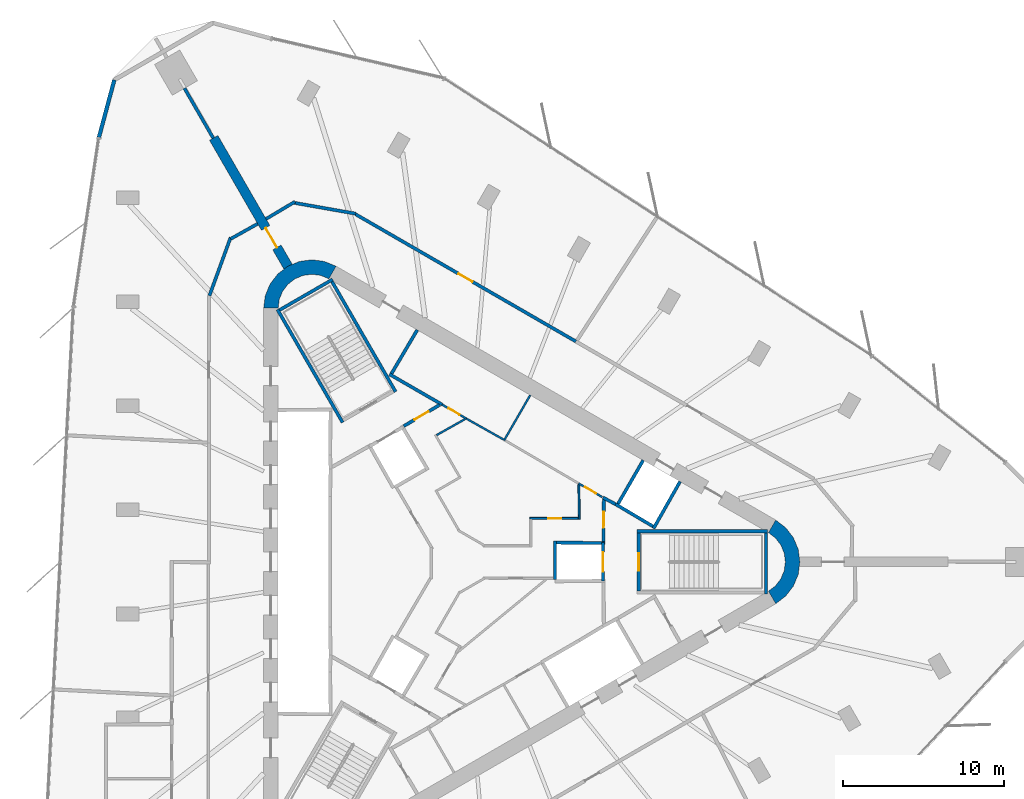
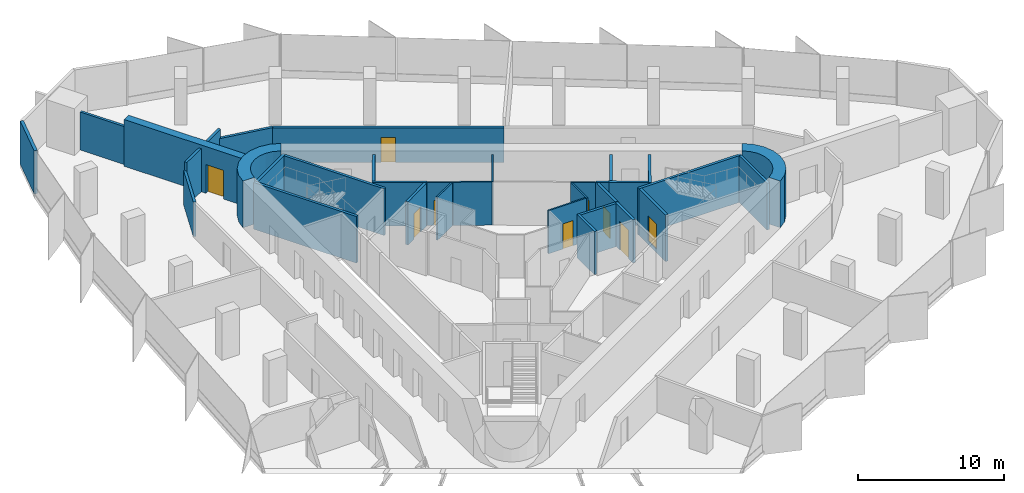
# One storey, part 11 of 13: 34 walls, 9 doors, 9 openings.
"""IFC4 building model written with IfcOpenShell, lengths in metres."""

from ifc_helpers import new_model, si_unit, direction, frame, frame_2d, origin, place, context, subcontext, project, spatial, polyline, rectangle, outline, extrude, material, layer, layer_set, type_object, element, fill, save


model = new_model("IFC4")

# Units and contexts
model_context = context("Model", 3, precision=1e-05, world=origin(), true_north=direction((0.0, 1.0)))
body_context = subcontext(model_context, "Body", "Model", "MODEL_VIEW")
ifc_project = project(units=[si_unit("LENGTHUNIT", "METRE"), si_unit("AREAUNIT", "SQUARE_METRE"), si_unit("VOLUMEUNIT", "CUBIC_METRE"), si_unit("PLANEANGLEUNIT", "RADIAN"), si_unit("MASSUNIT", "GRAM", prefix="KILO")], contexts=[model_context])

# Site, building, storey
site_placement = place(None, origin())
site = spatial("IfcSite", under=ifc_project, at=site_placement, CompositionType="ELEMENT")
building_placement = place(site_placement, origin())
building = spatial("IfcBuilding", under=site, at=building_placement, Name="Tanit Gate Tower", CompositionType="ELEMENT")
storey_placement = place(building_placement, frame((0.0, 0.0, 310.39990234375)))
storey = spatial("IfcBuildingStorey", under=building, at=storey_placement, Name="L69", CompositionType="ELEMENT", Elevation=310.39990234375)

# Wall, opening, door
ifc_material_1 = material(Name="Concrete C40/50", Category="concrete")
ifc_layer_1 = layer(ifc_material_1, 0.60009765625)
ifc_layer_set_1 = layer_set([ifc_layer_1], Name="BUTTRESS FIN 600 C40/50")
wall_type_1 = type_object("IfcWallType", Name="BUTTRESS FIN 600 C40/50", PredefinedType="SHEAR", material=ifc_layer_set_1)
wall_1_placement = place(storey_placement, frame((-10.574951171875, 18.31640625, 0.0), z_axis=(0.0, 0.0, 1.0), x_axis=(-0.500009446655, 0.866019949687, 0.0)))
wall_1 = element("IfcWall", 1, at=wall_1_placement, inside=storey, type_object=wall_type_1, Name="BUTTRESS FIN", PredefinedType="SHEAR", context=body_context, shape_type="SweptSolid", body=[
    extrude(rectangle(XDim=9.253662109375, YDim=0.60009765625, at=frame_2d((4.626953125, 0.0))), origin(), (0.0, 0.0, 1.0), 3.900146484375),
])
opening_1_placement = place(wall_1_placement, frame((1.39990234375, 0.0, 0.0)))
opening_1 = element("IfcOpeningElement", 2, at=opening_1_placement, cuts=wall_1, Name="Opening P14-S19-F-NW-1", PredefinedType="OPENING", context=body_context, shape_type="SweptSolid", body=[
    extrude(rectangle(XDim=1.39990234375, YDim=2.39990234375, at=frame_2d((0.699951171875, 1.199951171875))), frame((0.0, 0.31005859375, 0.0), z_axis=(0.0, -1.0, 0.0), x_axis=(1.0, 0.0, 0.0)), (0.0, 0.0, 1.0), 0.6201171875),
])
ifc_material_2 = material(Name="Timber door leaf", Category="wood")
door_type_1 = type_object("IfcDoorType", Name="INT-DOOR-FIN-PAIR-1400", OperationType="NOTDEFINED", PredefinedType="NOTDEFINED", material=ifc_material_2)
door_1_placement = place(opening_1_placement, origin())
door_1 = element("IfcDoor", 3, at=door_1_placement, inside=storey, type_object=door_type_1, Name="Door P14-S19-F-NW-1", OperationType="DOUBLE_DOOR_SINGLE_SWING", OverallHeight=2.39990234375, OverallWidth=1.39990234375, PredefinedType="NOTDEFINED", context=body_context, shape_type="SweptSolid", body=[
    extrude(rectangle(XDim=1.39990234375, YDim=2.39990234375, at=frame_2d((0.699951171875, 1.199951171875))), frame((0.0, 0.02490234375, 0.0), z_axis=(0.0, -1.0, 0.0), x_axis=(1.0, 0.0, 0.0)), (0.0, 0.0, 1.0), 0.050048828125),
])
fill(opening_1, door_1)

# Walls
ifc_material_3 = material(Name="Concrete C40/50", Category="concrete")
ifc_layer_2 = layer(ifc_material_3, 0.89990234375)
ifc_layer_set_2 = layer_set([ifc_layer_2], Name="CORE WALL 900 C40/50")
wall_type_2 = type_object("IfcWallType", Name="CORE WALL 900 C40/50", PredefinedType="SHEAR", material=ifc_layer_set_2)
wall_2_placement = place(storey_placement, origin())
element("IfcWall", 4, at=wall_2_placement, inside=storey, type_object=wall_type_2, Name="CORE WALL CORNER", PredefinedType="SHEAR", context=body_context, shape_type="SweptSolid", body=[
    extrude(outline(polyline([(-7.60009765625, 18.359619140625), (-8.323486328125, 18.659423828125), (-9.10009765625, 18.76171875), (-9.87646484375, 18.659423828125), (-10.60009765625, 18.359619140625), (-11.22119140625, 17.883056640625), (-11.697998046875, 17.26171875), (-11.997802734375, 16.5380859375), (-12.10009765625, 15.76171875), (-11.199951171875, 15.76171875), (-11.12841796875, 16.30517578125), (-10.918701171875, 16.811767578125), (-10.5849609375, 17.24658203125), (-10.14990234375, 17.580322265625), (-9.6435546875, 17.7900390625), (-9.10009765625, 17.86181640625), (-8.556396484375, 17.7900390625), (-8.050048828125, 17.580322265625), (-7.60009765625, 18.359619140625)])), origin(), (0.0, 0.0, 1.0), 3.900146484375),
])
wall_3_placement = place(storey_placement, origin())
element("IfcWall", 5, at=wall_3_placement, inside=storey, type_object=wall_type_2, Name="CORE WALL CORNER", PredefinedType="SHEAR", context=body_context, shape_type="SweptSolid", body=[
    extrude(outline(polyline([(19.699951171875, -2.59814453125), (20.3212890625, -2.121337890625), (20.798095703125, -1.5), (21.097900390625, -0.776611328125), (21.199951171875, 0.0), (21.097900390625, 0.776611328125), (20.798095703125, 1.5), (20.3212890625, 2.121337890625), (19.699951171875, 2.59814453125), (19.25, 1.818603515625), (19.684814453125, 1.48486328125), (20.018798828125, 1.050048828125), (20.228515625, 0.54345703125), (20.300048828125, 0.0), (20.228515625, -0.54345703125), (20.018798828125, -1.050048828125), (19.684814453125, -1.48486328125), (19.25, -1.818603515625), (19.699951171875, -2.59814453125)])), origin(), (0.0, 0.0, 1.0), 3.900146484375),
])
ifc_material_4 = material(Name="Concrete C30/37 with bronze anodised aluminium cladding", Category="concrete")
ifc_layer_3 = layer(ifc_material_4, 0.239990234375)
ifc_layer_set_3 = layer_set([ifc_layer_3], Name="Facade wall bronze clad 240")
wall_type_3 = type_object("IfcWallType", Name="Facade wall bronze clad 240", PredefinedType="SOLIDWALL", material=ifc_layer_set_3)
wall_4_placement = place(storey_placement, frame((-21.375244140625, 29.930908203125, 0.0), z_axis=(0.0, 0.0, 1.0), x_axis=(-0.258772400119, -0.965938323568, 0.0)))
element("IfcWall", 6, at=wall_4_placement, inside=storey, type_object=wall_type_3, Name="Bronze-clad facade wall L69 NW.arc3", PredefinedType="SOLIDWALL", context=body_context, shape_type="SweptSolid", body=[
    extrude(rectangle(XDim=3.696533203125, YDim=0.239990234375, at=frame_2d((1.84814453125, 0.0))), origin(), (0.0, 0.0, 1.0), 3.60009765625),
])
ifc_material_5 = material(Name="Fire-rated gypsum board partition")
ifc_layer_4 = layer(ifc_material_5, 0.199951171875)
ifc_layer_set_4 = layer_set([ifc_layer_4], Name="INT-WALL-COMPARTMENT")
wall_type_4 = type_object("IfcWallType", Name="INT-WALL-COMPARTMENT", PredefinedType="PARTITIONING", material=ifc_layer_set_4)
wall_5_placement = place(storey_placement, frame((8.97412109375, 3.998779296875, 0.0), z_axis=(0.0, 0.0, 1.0), x_axis=(0.880917147855, -0.473270513147, 0.0)))
element("IfcWall", 7, at=wall_5_placement, inside=storey, type_object=wall_type_4, Name="Wall Compartment W045", PredefinedType="PARTITIONING", context=body_context, shape_type="SweptSolid", body=[
    extrude(rectangle(XDim=0.8779296875, YDim=0.199951171875, at=frame_2d((0.43896484375, 0.0))), origin(), (0.0, 0.0, 1.0), 3.60009765625),
])
wall_6_placement = place(storey_placement, frame((-4.295654296875, 11.659912109375, 0.0), z_axis=(0.0, 0.0, 1.0), x_axis=(0.866027389382, -0.499996560828, 0.0)))
element("IfcWall", 8, at=wall_6_placement, inside=storey, type_object=wall_type_4, Name="Wall Compartment W048", PredefinedType="PARTITIONING", context=body_context, shape_type="SweptSolid", body=[
    extrude(rectangle(XDim=3.77783203125, YDim=0.199951171875, at=frame_2d((1.888916015625, 0.0))), origin(), (0.0, 0.0, 1.0), 3.60009765625),
])
wall_7_placement = place(storey_placement, frame((-2.557861328125, 14.409423828125, 0.0), z_axis=(0.0, 0.0, 1.0), x_axis=(-0.508018930956, -0.861345903683, 0.0)))
element("IfcWall", 9, at=wall_7_placement, inside=storey, type_object=wall_type_4, Name="Wall Compartment W049", PredefinedType="PARTITIONING", context=body_context, shape_type="SweptSolid", body=[
    extrude(rectangle(XDim=3.150146484375, YDim=0.199951171875, at=frame_2d((1.5751953125, 0.0))), origin(), (0.0, 0.0, 1.0), 3.60009765625),
])

# Wall, opening, door
wall_8_placement = place(storey_placement, frame((9.0009765625, 1.27001953125, 0.0), z_axis=(0.0, 0.0, 1.0), x_axis=(0.010723968736, 0.999942496594, 0.0)))
wall_8 = element("IfcWall", 10, at=wall_8_placement, inside=storey, type_object=wall_type_4, Name="Wall Compartment W063", PredefinedType="PARTITIONING", context=body_context, shape_type="SweptSolid", body=[
    extrude(rectangle(XDim=2.709228515625, YDim=0.199951171875, at=frame_2d((1.3544921875, 0.0))), origin(), (0.0, 0.0, 1.0), 3.60009765625),
])
opening_2_placement = place(wall_8_placement, frame((0.848388671875, 0.0, 0.0)))
opening_2 = element("IfcOpeningElement", 11, at=opening_2_placement, cuts=wall_8, Name="Opening F10-S19-02", PredefinedType="OPENING", context=body_context, shape_type="SweptSolid", body=[
    extrude(rectangle(XDim=1.0, YDim=2.10009765625, at=frame_2d((0.5, 1.050048828125))), frame((0.0, 0.10986328125, 0.0), z_axis=(0.0, -1.0, 0.0), x_axis=(1.0, 0.0, 0.0)), (0.0, 0.0, 1.0), 0.219970703125),
])
ifc_material_6 = material(Name="Fire-rated steel door leaf", Category="steel")
door_type_2 = type_object("IfcDoorType", Name="INT-DOOR-FIRE-1000", OperationType="NOTDEFINED", PredefinedType="USERDEFINED", material=ifc_material_6)
door_2_placement = place(opening_2_placement, origin())
door_2 = element("IfcDoor", 12, at=door_2_placement, inside=storey, type_object=door_type_2, Name="Door F10-S19-02", ObjectType="FIRE DOOR", OperationType="SINGLE_SWING_LEFT", OverallHeight=2.10009765625, OverallWidth=1.0, PredefinedType="USERDEFINED", context=body_context, shape_type="SweptSolid", body=[
    extrude(rectangle(XDim=1.0, YDim=2.10009765625, at=frame_2d((0.5, 1.050048828125))), frame((0.0, 0.02490234375, 0.0), z_axis=(0.0, -1.0, 0.0), x_axis=(1.0, 0.0, 0.0)), (0.0, 0.0, 1.0), 0.050048828125),
])
fill(opening_2, door_2)

wall_9_placement = place(storey_placement, frame((-1.1787109375, 9.744873046875, 0.0), z_axis=(0.0, 0.0, 1.0), x_axis=(-0.860630814782, -0.509229418482, 0.0)))
wall_9 = element("IfcWall", 13, at=wall_9_placement, inside=storey, type_object=wall_type_4, Name="Wall Compartment W065", PredefinedType="PARTITIONING", context=body_context, shape_type="SweptSolid", body=[
    extrude(rectangle(XDim=2.581787109375, YDim=0.199951171875, at=frame_2d((1.291015625, 0.0))), origin(), (0.0, 0.0, 1.0), 3.60009765625),
])
opening_3_placement = place(wall_9_placement, frame((0.791015625, 0.0, 0.0)))
opening_3 = element("IfcOpeningElement", 14, at=opening_3_placement, cuts=wall_9, Name="Opening F10-S19-05", PredefinedType="OPENING", context=body_context, shape_type="SweptSolid", body=[
    extrude(rectangle(XDim=1.0, YDim=2.10009765625, at=frame_2d((0.5, 1.050048828125))), frame((0.0, 0.10986328125, 0.0), z_axis=(0.0, -1.0, 0.0), x_axis=(1.0, 0.0, 0.0)), (0.0, 0.0, 1.0), 0.219970703125),
])
door_3_placement = place(opening_3_placement, origin())
door_3 = element("IfcDoor", 15, at=door_3_placement, inside=storey, type_object=door_type_2, Name="Door F10-S19-05", ObjectType="FIRE DOOR", OperationType="SINGLE_SWING_LEFT", OverallHeight=2.10009765625, OverallWidth=1.0, PredefinedType="USERDEFINED", context=body_context, shape_type="SweptSolid", body=[
    extrude(rectangle(XDim=1.0, YDim=2.10009765625, at=frame_2d((0.5, 1.050048828125))), frame((0.0, 0.02490234375, 0.0), z_axis=(0.0, -1.0, 0.0), x_axis=(1.0, 0.0, 0.0)), (0.0, 0.0, 1.0), 0.050048828125),
])
fill(opening_3, door_3)

# Walls
wall_10_placement = place(storey_placement, frame((-14.15234375, 20.143310546875, 0.0), z_axis=(0.0, 0.0, 1.0), x_axis=(-0.342008467257, -0.939696870445, 0.0)))
element("IfcWall", 16, at=wall_10_placement, inside=storey, type_object=wall_type_4, Name="Wall Compartment W102", PredefinedType="PARTITIONING", context=body_context, shape_type="SweptSolid", body=[
    extrude(rectangle(XDim=3.840576171875, YDim=0.199951171875, at=frame_2d((1.92041015625, 0.0))), origin(), (0.0, 0.0, 1.0), 2.880126953125),
])
wall_11_placement = place(storey_placement, frame((-12.469970703125, 20.99853515625, 0.0), z_axis=(0.0, 0.0, 1.0), x_axis=(-0.872542788959, -0.488537697046, 0.0)))
element("IfcWall", 17, at=wall_11_placement, inside=storey, type_object=wall_type_4, Name="Wall Compartment W103", PredefinedType="PARTITIONING", context=body_context, shape_type="SweptSolid", body=[
    extrude(rectangle(XDim=1.924560546875, YDim=0.199951171875, at=frame_2d((0.96240234375, 0.0))), origin(), (0.0, 0.0, 1.0), 3.60009765625),
])
wall_12_placement = place(storey_placement, frame((-10.154541015625, 22.3671875, 0.0), z_axis=(0.0, 0.0, 1.0), x_axis=(-0.859343009577, -0.511399640097, 0.0)))
element("IfcWall", 18, at=wall_12_placement, inside=storey, type_object=wall_type_4, Name="Wall Compartment W104", PredefinedType="PARTITIONING", context=body_context, shape_type="SweptSolid", body=[
    extrude(rectangle(XDim=2.089599609375, YDim=0.199951171875, at=frame_2d((1.044921875, 0.0))), origin(), (0.0, 0.0, 1.0), 3.60009765625),
])
wall_13_placement = place(storey_placement, frame((-6.389404296875, 21.626220703125, 0.0), z_axis=(0.0, 0.0, 1.0), x_axis=(-0.984802578286, 0.173677522442, 0.0)))
element("IfcWall", 19, at=wall_13_placement, inside=storey, type_object=wall_type_4, Name="Wall Compartment W105", PredefinedType="PARTITIONING", context=body_context, shape_type="SweptSolid", body=[
    extrude(rectangle(XDim=3.87548828125, YDim=0.199951171875, at=frame_2d((1.937744140625, 0.0))), origin(), (0.0, 0.0, 1.0), 2.880126953125),
])

# Wall, opening, door
wall_14_placement = place(storey_placement, frame((7.2890625, 13.689453125, 0.0), z_axis=(0.0, 0.0, 1.0), x_axis=(-0.866022017938, 0.500005864412, 0.0)))
wall_14 = element("IfcWall", 20, at=wall_14_placement, inside=storey, type_object=wall_type_4, Name="Wall Compartment W106", PredefinedType="PARTITIONING", context=body_context, shape_type="SweptSolid", body=[
    extrude(rectangle(XDim=15.808349609375, YDim=0.199951171875, at=frame_2d((7.904296875, 0.0))), origin(), (0.0, 0.0, 1.0), 2.880126953125),
])
opening_4_placement = place(wall_14_placement, frame((7.404296875, 0.0, 0.0)))
opening_4 = element("IfcOpeningElement", 21, at=opening_4_placement, cuts=wall_14, Name="Opening F10-S19-28", PredefinedType="OPENING", context=body_context, shape_type="SweptSolid", body=[
    extrude(rectangle(XDim=1.0, YDim=2.10009765625, at=frame_2d((0.5, 1.050048828125))), frame((0.0, 0.10986328125, 0.0), z_axis=(0.0, -1.0, 0.0), x_axis=(1.0, 0.0, 0.0)), (0.0, 0.0, 1.0), 0.219970703125),
])
door_4_placement = place(opening_4_placement, origin())
door_4 = element("IfcDoor", 22, at=door_4_placement, inside=storey, type_object=door_type_2, Name="Door F10-S19-28", ObjectType="FIRE DOOR", OperationType="SINGLE_SWING_LEFT", OverallHeight=2.10009765625, OverallWidth=1.0, PredefinedType="USERDEFINED", context=body_context, shape_type="SweptSolid", body=[
    extrude(rectangle(XDim=1.0, YDim=2.10009765625, at=frame_2d((0.5, 1.050048828125))), frame((0.0, 0.02490234375, 0.0), z_axis=(0.0, -1.0, 0.0), x_axis=(1.0, 0.0, 0.0)), (0.0, 0.0, 1.0), 0.050048828125),
])
fill(opening_4, door_4)

# Walls
wall_15_placement = place(storey_placement, frame((-17.017333984375, 29.4150390625, 0.0), z_axis=(0.0, 0.0, 1.0), x_axis=(0.49999800388, -0.866026556242, 0.0)))
element("IfcWall", 23, at=wall_15_placement, inside=storey, type_object=wall_type_4, Name="Wall Compartment W131", PredefinedType="PARTITIONING", context=body_context, shape_type="SweptSolid", body=[
    extrude(rectangle(XDim=3.5791015625, YDim=0.199951171875, at=frame_2d((1.78955078125, 0.0))), origin(), (0.0, 0.0, 1.0), 3.170166015625),
])
ifc_material_7 = material(Name="Gypsum board partition")
ifc_layer_5 = layer(ifc_material_7, 0.1201171875)
ifc_layer_set_5 = layer_set([ifc_layer_5], Name="INT-WALL-PARTITION")
wall_type_5 = type_object("IfcWallType", Name="INT-WALL-PARTITION", PredefinedType="PARTITIONING", material=ifc_layer_set_5)
wall_16_placement = place(storey_placement, frame((4.456787109375, 10.359375, 0.0), z_axis=(0.0, 0.0, 1.0), x_axis=(-0.500017246033, -0.866015446554, 0.0)))
element("IfcWall", 24, at=wall_16_placement, inside=storey, type_object=wall_type_5, Name="Wall Partition W044", PredefinedType="PARTITIONING", context=body_context, shape_type="SweptSolid", body=[
    extrude(rectangle(XDim=3.25, YDim=0.1201171875, at=frame_2d((1.625, 0.0))), origin(), (0.0, 0.0, 1.0), 3.60009765625),
])

# Wall, opening, door
wall_17_placement = place(storey_placement, frame((-1.02392578125, 9.77099609375, 0.0), z_axis=(0.0, 0.0, 1.0), x_axis=(0.866039397417, -0.499975761534, 0.0)))
wall_17 = element("IfcWall", 25, at=wall_17_placement, inside=storey, type_object=wall_type_5, Name="Wall Partition W051", PredefinedType="PARTITIONING", context=body_context, shape_type="SweptSolid", body=[
    extrude(rectangle(XDim=1.751953125, YDim=0.1201171875, at=frame_2d((0.8759765625, 0.0))), origin(), (0.0, 0.0, 1.0), 3.60009765625),
])
opening_5_placement = place(wall_17_placement, frame((0.4658203125, 0.0, 0.0)))
opening_5 = element("IfcOpeningElement", 26, at=opening_5_placement, cuts=wall_17, Name="Opening R08-S19-15", PredefinedType="OPENING", context=body_context, shape_type="SweptSolid", body=[
    extrude(rectangle(XDim=0.800048828125, YDim=2.10009765625, at=frame_2d((0.39990234375, 1.050048828125))), frame((0.0, 0.070068359375, 0.0), z_axis=(0.0, -1.0, 0.0), x_axis=(1.0, 0.0, 0.0)), (0.0, 0.0, 1.0), 0.14013671875),
])
ifc_material_8 = material(Name="Timber door leaf", Category="wood")
door_type_3 = type_object("IfcDoorType", Name="INT-DOOR-RISER-800", OperationType="NOTDEFINED", PredefinedType="USERDEFINED", material=ifc_material_8)
door_5_placement = place(opening_5_placement, origin())
door_5 = element("IfcDoor", 27, at=door_5_placement, inside=storey, type_object=door_type_3, Name="Door R08-S19-15", ObjectType="FIRE DOOR", OperationType="SINGLE_SWING_RIGHT", OverallHeight=2.10009765625, OverallWidth=0.800048828125, PredefinedType="USERDEFINED", context=body_context, shape_type="SweptSolid", body=[
    extrude(rectangle(XDim=0.800048828125, YDim=2.10009765625, at=frame_2d((0.39990234375, 1.050048828125))), frame((0.0, 0.02490234375, 0.0), z_axis=(0.0, -1.0, 0.0), x_axis=(1.0, 0.0, 0.0)), (0.0, 0.0, 1.0), 0.050048828125),
])
fill(opening_5, door_5)

wall_18_placement = place(storey_placement, frame((7.45654296875, 4.874755859375, 0.0), z_axis=(0.0, 0.0, 1.0), x_axis=(0.866027945518, -0.499995597562, 0.0)))
wall_18 = element("IfcWall", 28, at=wall_18_placement, inside=storey, type_object=wall_type_5, Name="Wall Partition W047", PredefinedType="PARTITIONING", context=body_context, shape_type="SweptSolid", body=[
    extrude(rectangle(XDim=1.7021484375, YDim=0.1201171875, at=frame_2d((0.85107421875, 0.0))), origin(), (0.0, 0.0, 1.0), 3.60009765625),
])
opening_6_placement = place(wall_18_placement, frame((0.461181640625, 0.0, 0.0)))
opening_6 = element("IfcOpeningElement", 29, at=opening_6_placement, cuts=wall_18, Name="Opening R08-S19-14", PredefinedType="OPENING", context=body_context, shape_type="SweptSolid", body=[
    extrude(rectangle(XDim=0.800048828125, YDim=2.10009765625, at=frame_2d((0.39990234375, 1.050048828125))), frame((0.0, 0.070068359375, 0.0), z_axis=(0.0, -1.0, 0.0), x_axis=(1.0, 0.0, 0.0)), (0.0, 0.0, 1.0), 0.14013671875),
])
door_6_placement = place(opening_6_placement, origin())
door_6 = element("IfcDoor", 30, at=door_6_placement, inside=storey, type_object=door_type_3, Name="Door R08-S19-14", ObjectType="FIRE DOOR", OperationType="SINGLE_SWING_LEFT", OverallHeight=2.10009765625, OverallWidth=0.800048828125, PredefinedType="USERDEFINED", context=body_context, shape_type="SweptSolid", body=[
    extrude(rectangle(XDim=0.800048828125, YDim=2.10009765625, at=frame_2d((0.39990234375, 1.050048828125))), frame((0.0, 0.02490234375, 0.0), z_axis=(0.0, -1.0, 0.0), x_axis=(1.0, 0.0, 0.0)), (0.0, 0.0, 1.0), 0.050048828125),
])
fill(opening_6, door_6)

# Walls
wall_19_placement = place(storey_placement, frame((2.82080078125, 7.5859375, 0.0), z_axis=(0.0, 0.0, 1.0), x_axis=(-0.871426548871, 0.490526013503, 0.0)))
element("IfcWall", 31, at=wall_19_placement, inside=storey, type_object=wall_type_5, Name="Wall Partition W050", PredefinedType="PARTITIONING", context=body_context, shape_type="SweptSolid", body=[
    extrude(rectangle(XDim=2.670166015625, YDim=0.1201171875, at=frame_2d((1.3349609375, 0.0))), origin(), (0.0, 0.0, 1.0), 3.60009765625),
])
wall_20_placement = place(storey_placement, frame((7.500732421875, 2.639892578125, 0.0), z_axis=(0.0, 0.0, 1.0), x_axis=(-0.01178388431, 0.999930567625, 0.0)))
element("IfcWall", 32, at=wall_20_placement, inside=storey, type_object=wall_type_5, Name="Wall Partition W080", PredefinedType="PARTITIONING", context=body_context, shape_type="SweptSolid", body=[
    extrude(rectangle(XDim=2.15478515625, YDim=0.1201171875, at=frame_2d((1.077392578125, 0.0))), origin(), (0.0, 0.0, 1.0), 3.60009765625),
])

# Wall, opening, door
wall_21_placement = place(storey_placement, frame((4.43994140625, 2.699951171875, 0.0), z_axis=(0.0, 0.0, 1.0), x_axis=(1.0, 0.0, 0.0)))
wall_21 = element("IfcWall", 33, at=wall_21_placement, inside=storey, type_object=wall_type_5, Name="Wall Partition W081", PredefinedType="PARTITIONING", context=body_context, shape_type="SweptSolid", body=[
    extrude(rectangle(XDim=3.0, YDim=0.1201171875, at=frame_2d((1.5, 0.0))), origin(), (0.0, 0.0, 1.0), 3.60009765625),
])
opening_7_placement = place(wall_21_placement, frame((1.1298828125, 0.0, 0.0)))
opening_7 = element("IfcOpeningElement", 34, at=opening_7_placement, cuts=wall_21, Name="Opening R08-S19-13", PredefinedType="OPENING", context=body_context, shape_type="SweptSolid", body=[
    extrude(rectangle(XDim=0.800048828125, YDim=2.10009765625, at=frame_2d((0.39990234375, 1.050048828125))), frame((0.0, 0.070068359375, 0.0), z_axis=(0.0, -1.0, 0.0), x_axis=(1.0, 0.0, 0.0)), (0.0, 0.0, 1.0), 0.14013671875),
])
door_7_placement = place(opening_7_placement, origin())
door_7 = element("IfcDoor", 35, at=door_7_placement, inside=storey, type_object=door_type_3, Name="Door R08-S19-13", ObjectType="FIRE DOOR", OperationType="SINGLE_SWING_LEFT", OverallHeight=2.10009765625, OverallWidth=0.800048828125, PredefinedType="USERDEFINED", context=body_context, shape_type="SweptSolid", body=[
    extrude(rectangle(XDim=0.800048828125, YDim=2.10009765625, at=frame_2d((0.39990234375, 1.050048828125))), frame((0.0, 0.02490234375, 0.0), z_axis=(0.0, -1.0, 0.0), x_axis=(1.0, 0.0, 0.0)), (0.0, 0.0, 1.0), 0.050048828125),
])
fill(opening_7, door_7)

# Walls
wall_22_placement = place(storey_placement, frame((0.414306640625, 8.87109375, 0.0), z_axis=(0.0, 0.0, 1.0), x_axis=(-0.871809386997, -0.48984527429, 0.0)))
element("IfcWall", 36, at=wall_22_placement, inside=storey, type_object=wall_type_5, Name="Wall Partition W088", PredefinedType="PARTITIONING", context=body_context, shape_type="SweptSolid", body=[
    extrude(rectangle(XDim=2.034423828125, YDim=0.1201171875, at=frame_2d((1.01708984375, 0.0))), origin(), (0.0, 0.0, 1.0), 3.60009765625),
])
ifc_material_9 = material(Name="Gypsum shaft wall system")
ifc_layer_6 = layer(ifc_material_9, 0.199951171875)
ifc_layer_set_6 = layer_set([ifc_layer_6], Name="INT-WALL-SHAFT")
wall_type_6 = type_object("IfcWallType", Name="INT-WALL-SHAFT", PredefinedType="PLUMBINGWALL", material=ifc_layer_set_6)
wall_23_placement = place(storey_placement, frame((9.8466796875, 3.494873046875, 0.0), z_axis=(0.0, 0.0, 1.0), x_axis=(0.499984717929, 0.866034226713, 0.0)))
element("IfcWall", 37, at=wall_23_placement, inside=storey, type_object=wall_type_6, Name="Wall Shaft W012", PredefinedType="PLUMBINGWALL", context=body_context, shape_type="SweptSolid", body=[
    extrude(rectangle(XDim=3.25, YDim=0.199951171875, at=frame_2d((1.625, 0.0))), origin(), (0.0, 0.0, 1.0), 3.60009765625),
])
wall_24_placement = place(storey_placement, frame((12.10986328125, 2.07275390625, 0.0), z_axis=(0.0, 0.0, 1.0), x_axis=(0.49196600604, 0.870614408852, 0.0)))
element("IfcWall", 38, at=wall_24_placement, inside=storey, type_object=wall_type_6, Name="Wall Shaft W013", PredefinedType="PLUMBINGWALL", context=body_context, shape_type="SweptSolid", body=[
    extrude(rectangle(XDim=3.35009765625, YDim=0.199951171875, at=frame_2d((1.675048828125, 0.0))), origin(), (0.0, 0.0, 1.0), 3.60009765625),
])
wall_25_placement = place(storey_placement, frame((12.072998046875, 2.2109375, 0.0), z_axis=(0.0, 0.0, 1.0), x_axis=(-0.860414880418, 0.509594185166, 0.0)))
element("IfcWall", 39, at=wall_25_placement, inside=storey, type_object=wall_type_6, Name="Wall Shaft W014", PredefinedType="PLUMBINGWALL", context=body_context, shape_type="SweptSolid", body=[
    extrude(rectangle(XDim=2.7001953125, YDim=0.199951171875, at=frame_2d((1.35009765625, 0.0))), origin(), (0.0, 0.0, 1.0), 3.60009765625),
])

# Wall, opening, door
wall_26_placement = place(storey_placement, frame((8.969970703125, 1.199951171875, 0.0), z_axis=(0.0, 0.0, 1.0), x_axis=(0.0, -1.0, 0.0)))
wall_26 = element("IfcWall", 40, at=wall_26_placement, inside=storey, type_object=wall_type_6, Name="Wall Shaft W024", PredefinedType="PLUMBINGWALL", context=body_context, shape_type="SweptSolid", body=[
    extrude(rectangle(XDim=2.39990234375, YDim=0.199951171875, at=frame_2d((1.199951171875, 0.0))), origin(), (0.0, 0.0, 1.0), 3.60009765625),
])
opening_8_placement = place(wall_26_placement, frame((0.60009765625, 0.0, 0.0)))
opening_8 = element("IfcOpeningElement", 41, at=opening_8_placement, cuts=wall_26, Name="Opening LDFL1-L69", PredefinedType="OPENING", context=body_context, shape_type="SweptSolid", body=[
    extrude(rectangle(XDim=1.199951171875, YDim=2.39990234375, at=frame_2d((0.60009765625, 1.199951171875))), frame((0.0, 0.10986328125, 0.0), z_axis=(0.0, -1.0, 0.0), x_axis=(1.0, 0.0, 0.0)), (0.0, 0.0, 1.0), 0.219970703125),
])
ifc_material_10 = material(Name="Stainless steel sliding door leaf", Category="steel")
door_type_4 = type_object("IfcDoorType", Name="INT-DOOR-LANDING-1200", OperationType="NOTDEFINED", PredefinedType="USERDEFINED", material=ifc_material_10)
door_8_placement = place(opening_8_placement, origin())
door_8 = element("IfcDoor", 42, at=door_8_placement, inside=storey, type_object=door_type_4, Name="Door LDFL1-L69", ObjectType="LANDING DOOR", OperationType="SLIDING_TO_LEFT", OverallHeight=2.39990234375, OverallWidth=1.199951171875, PredefinedType="USERDEFINED", context=body_context, shape_type="SweptSolid", body=[
    extrude(rectangle(XDim=1.199951171875, YDim=2.39990234375, at=frame_2d((0.60009765625, 1.199951171875))), frame((0.0, 0.02490234375, 0.0), z_axis=(0.0, -1.0, 0.0), x_axis=(1.0, 0.0, 0.0)), (0.0, 0.0, 1.0), 0.050048828125),
])
fill(opening_8, door_8)

# Walls
wall_27_placement = place(storey_placement, frame((6.0, -1.089599609375, 0.0), z_axis=(0.0, 0.0, 1.0), x_axis=(0.0, 1.0, 0.0)))
element("IfcWall", 43, at=wall_27_placement, inside=storey, type_object=wall_type_6, Name="Wall Shaft W026", PredefinedType="PLUMBINGWALL", context=body_context, shape_type="SweptSolid", body=[
    extrude(rectangle(XDim=2.3896484375, YDim=0.199951171875, at=frame_2d((1.19482421875, 0.0))), origin(), (0.0, 0.0, 1.0), 3.60009765625),
])
wall_28_placement = place(storey_placement, frame((9.10009765625, 1.1689453125, 0.0), z_axis=(0.0, 0.0, 1.0), x_axis=(-0.99994990606, 0.010009264196, 0.0)))
element("IfcWall", 44, at=wall_28_placement, inside=storey, type_object=wall_type_6, Name="Wall Shaft W027", PredefinedType="PLUMBINGWALL", context=body_context, shape_type="SweptSolid", body=[
    extrude(rectangle(XDim=3.000244140625, YDim=0.199951171875, at=frame_2d((1.5, 0.0))), origin(), (0.0, 0.0, 1.0), 3.60009765625),
])
ifc_material_11 = material(Name="Concrete C40/50", Category="concrete")
ifc_layer_7 = layer(ifc_material_11, 0.199951171875)
ifc_layer_set_7 = layer_set([ifc_layer_7], Name="INT-WALL-STAIR")
wall_type_7 = type_object("IfcWallType", Name="INT-WALL-STAIR", PredefinedType="SHEAR", material=ifc_layer_set_7)
wall_29_placement = place(storey_placement, frame((19.199951171875, 1.89990234375, -0.2998046875), z_axis=(0.0, 0.0, 1.0), x_axis=(-1.0, 0.0, 0.0)))
element("IfcWall", 45, at=wall_29_placement, inside=storey, type_object=wall_type_7, Name="Wall Stair W020", PredefinedType="SHEAR", context=body_context, shape_type="SweptSolid", body=[
    extrude(rectangle(XDim=8.099853515625, YDim=0.199951171875, at=frame_2d((4.0498046875, 0.0))), origin(), (0.0, 0.0, 1.0), 3.89990234375),
])
wall_30_placement = place(storey_placement, frame((19.10009765625, -2.0, -0.2998046875), z_axis=(0.0, 0.0, 1.0), x_axis=(0.0, 1.0, 0.0)))
element("IfcWall", 46, at=wall_30_placement, inside=storey, type_object=wall_type_7, Name="Wall Stair W021", PredefinedType="SHEAR", context=body_context, shape_type="SweptSolid", body=[
    extrude(rectangle(XDim=3.800048828125, YDim=0.199951171875, at=frame_2d((1.89990234375, 0.0))), origin(), (0.0, 0.0, 1.0), 3.89990234375),
])

# Wall, opening, door
wall_31_placement = place(storey_placement, frame((11.199951171875, -1.800048828125, -0.2998046875), z_axis=(0.0, 0.0, 1.0), x_axis=(0.0, 1.0, 0.0)))
wall_31 = element("IfcWall", 47, at=wall_31_placement, inside=storey, type_object=wall_type_7, Name="Wall Stair W023", PredefinedType="SHEAR", context=body_context, shape_type="SweptSolid", body=[
    extrude(rectangle(XDim=3.60009765625, YDim=0.199951171875, at=frame_2d((1.800048828125, 0.0))), origin(), (0.0, 0.0, 1.0), 3.89990234375),
])
opening_9_placement = place(wall_31_placement, frame((1.25, 0.0, 0.300048828125)))
opening_9 = element("IfcOpeningElement", 48, at=opening_9_placement, cuts=wall_31, Name="Opening S11-S19-01", PredefinedType="OPENING", context=body_context, shape_type="SweptSolid", body=[
    extrude(rectangle(XDim=1.10009765625, YDim=2.10009765625, at=frame_2d((0.550048828125, 1.050048828125))), frame((0.0, 0.10986328125, 0.0), z_axis=(0.0, -1.0, 0.0), x_axis=(1.0, 0.0, 0.0)), (0.0, 0.0, 1.0), 0.219970703125),
])
ifc_material_12 = material(Name="Timber door leaf", Category="wood")
door_type_5 = type_object("IfcDoorType", Name="INT-DOOR-STAIR-1100", OperationType="NOTDEFINED", PredefinedType="USERDEFINED", material=ifc_material_12)
door_9_placement = place(opening_9_placement, origin())
door_9 = element("IfcDoor", 49, at=door_9_placement, inside=storey, type_object=door_type_5, Name="Door S11-S19-01", ObjectType="FIRE DOOR", OperationType="SINGLE_SWING_LEFT", OverallHeight=2.10009765625, OverallWidth=1.10009765625, PredefinedType="USERDEFINED", context=body_context, shape_type="SweptSolid", body=[
    extrude(rectangle(XDim=1.10009765625, YDim=2.10009765625, at=frame_2d((0.550048828125, 1.050048828125))), frame((0.0, 0.02490234375, 0.0), z_axis=(0.0, -1.0, 0.0), x_axis=(1.0, 0.0, 0.0)), (0.0, 0.0, 1.0), 0.050048828125),
])
fill(opening_9, door_9)

# Walls
wall_32_placement = place(storey_placement, frame((-11.245361328125, 15.677734375, -0.2998046875), z_axis=(0.0, 0.0, 1.0), x_axis=(0.499977274689, -0.866038523851, 0.0)))
element("IfcWall", 50, at=wall_32_placement, inside=storey, type_object=wall_type_7, Name="Wall Stair W028", PredefinedType="SHEAR", context=body_context, shape_type="SweptSolid", body=[
    extrude(rectangle(XDim=8.10009765625, YDim=0.199951171875, at=frame_2d((4.050048828125, 0.0))), origin(), (0.0, 0.0, 1.0), 3.89990234375),
])
wall_33_placement = place(storey_placement, frame((-7.81787109375, 17.541015625, -0.2998046875), z_axis=(0.0, 0.0, 1.0), x_axis=(-0.866044365799, -0.499967155389, 0.0)))
element("IfcWall", 51, at=wall_33_placement, inside=storey, type_object=wall_type_7, Name="Wall Stair W029", PredefinedType="SHEAR", context=body_context, shape_type="SweptSolid", body=[
    extrude(rectangle(XDim=3.800048828125, YDim=0.199951171875, at=frame_2d((1.89990234375, 0.0))), origin(), (0.0, 0.0, 1.0), 3.89990234375),
])
wall_34_placement = place(storey_placement, frame((-7.8544921875, 17.404541015625, -0.2998046875), z_axis=(0.0, 0.0, 1.0), x_axis=(0.499997992926, -0.866026562566, 0.0)))
element("IfcWall", 52, at=wall_34_placement, inside=storey, type_object=wall_type_7, Name="Wall Stair W030", PredefinedType="SHEAR", context=body_context, shape_type="SweptSolid", body=[
    extrude(rectangle(XDim=7.89990234375, YDim=0.199951171875, at=frame_2d((3.949951171875, 0.0))), origin(), (0.0, 0.0, 1.0), 3.89990234375),
])

save(model, "model.ifc")
